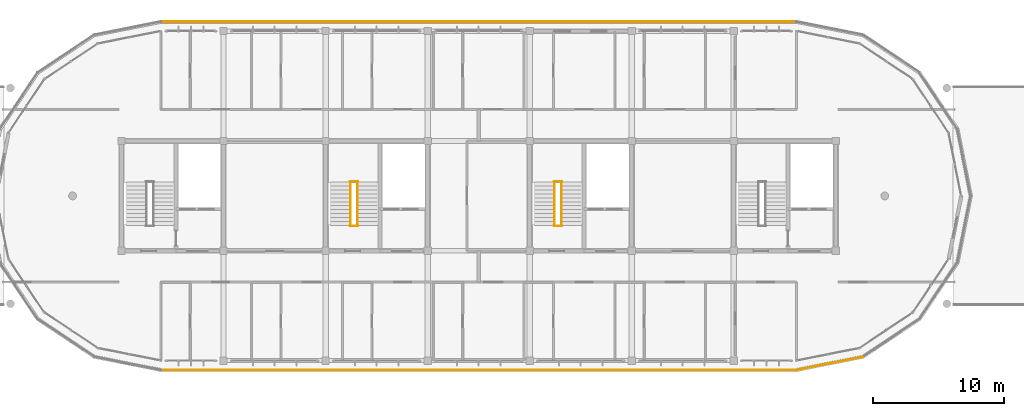
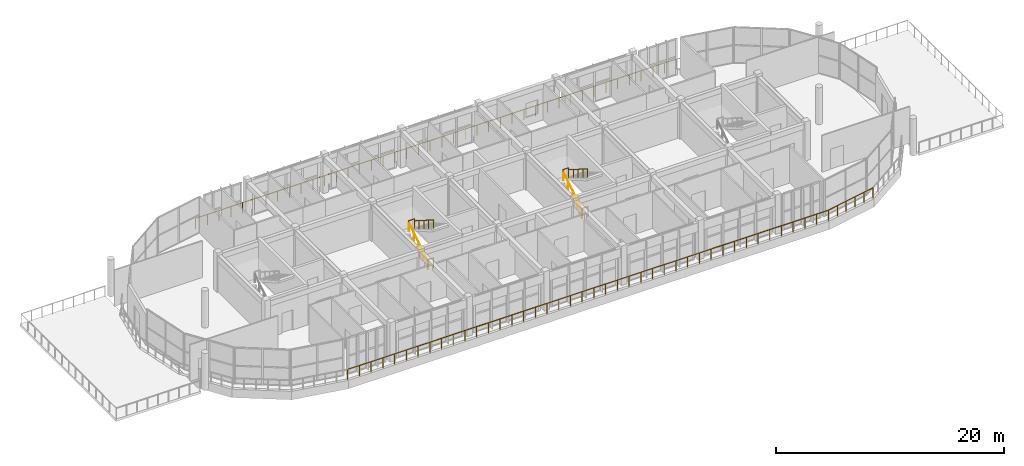
# One storey, part 43 of 44: 11 railings.
"""IFC4 building model written with IfcOpenShell, lengths in metres."""

from ifc_helpers import new_model, si_unit, direction, frame, origin, origin_2d, place, context, subcontext, project, spatial, circle, hollow_circle, extrude, material, material_profile, profile_set, type_object, element, save


model = new_model("IFC4")

# Units and contexts
model_context = context("Model", 3, precision=1e-05, world=origin(), true_north=direction((0.0, 1.0)))
body_context = subcontext(model_context, "Body", "Model", "MODEL_VIEW")
ifc_project = project(units=[si_unit("LENGTHUNIT", "METRE"), si_unit("AREAUNIT", "SQUARE_METRE"), si_unit("VOLUMEUNIT", "CUBIC_METRE"), si_unit("PLANEANGLEUNIT", "RADIAN"), si_unit("MASSUNIT", "GRAM", prefix="KILO")], contexts=[model_context])

# Site, building, storey
site_placement = place(None, origin())
site = spatial("IfcSite", under=ifc_project, at=site_placement, CompositionType="ELEMENT")
building_placement = place(site_placement, origin())
building = spatial("IfcBuilding", under=site, at=building_placement, Name="Zizhar Promenade General Hospital", CompositionType="ELEMENT")
storey_placement = place(building_placement, frame((0.0, 0.0, 34.800048828125)))
storey = spatial("IfcBuildingStorey", under=building, at=storey_placement, Name="L08", CompositionType="ELEMENT", Elevation=34.800048828125)

# Railings
ifc_material_1 = material(Name="Anodised aluminium 6063-T6", Category="aluminium")
ifc_material_profile_1 = material_profile(ifc_material_1, hollow_circle(Radius=0.06982421875, WallThickness=0.00634765625, at=origin_2d()))
ifc_profile_set_1 = profile_set([ifc_material_profile_1], Name="Anodised aluminium 6063-T6")
railing_type_1 = type_object("IfcRailingType", Name="RL-GUARD-TERR-1100", PredefinedType="GUARDRAIL", material=ifc_profile_set_1)
railing_1_placement = place(storey_placement, frame((98.39990234375, -0.719970703125, 0.0)))
element("IfcRailing", 1, at=railing_1_placement, inside=storey, type_object=railing_type_1, Name="Perimeter Safety Guardrail L08-01", PredefinedType="GUARDRAIL", context=body_context, shape_type="SweptSolid", body=[
    extrude(circle(Radius=0.02392578125, at=origin_2d()), frame((0.0, 0.0, 1.09619140625), z_axis=(0.980786101187, 0.195086195614, 0.0), x_axis=(-0.195086195614, 0.980786101187, 0.0)), (0.0, 0.0, 1.0), 5.197265625),
    extrude(circle(Radius=0.02099609375, at=origin_2d()), origin(), (0.0, 0.0, 1.0), 1.072021484375),
    extrude(circle(Radius=0.02099609375, at=origin_2d()), frame((1.01953125, 0.202880859375, 0.0)), (0.0, 0.0, 1.0), 1.072021484375),
    extrude(circle(Radius=0.02099609375, at=origin_2d()), frame((2.0390625, 0.405517578125, 0.0)), (0.0, 0.0, 1.0), 1.072021484375),
    extrude(circle(Radius=0.02099609375, at=origin_2d()), frame((3.058349609375, 0.6083984375, 0.0)), (0.0, 0.0, 1.0), 1.072021484375),
    extrude(circle(Radius=0.02099609375, at=origin_2d()), frame((4.077880859375, 0.81103515625, 0.0)), (0.0, 0.0, 1.0), 1.072021484375),
    extrude(circle(Radius=0.02099609375, at=origin_2d()), frame((5.097412109375, 1.013916015625, 0.0)), (0.0, 0.0, 1.0), 1.072021484375),
])
railing_2_placement = place(storey_placement, frame((98.39990234375, 25.919921875, 0.0)))
element("IfcRailing", 2, at=railing_2_placement, inside=storey, type_object=railing_type_1, Name="Perimeter Safety Guardrail L08-09", PredefinedType="GUARDRAIL", context=body_context, shape_type="SweptSolid", body=[
    extrude(circle(Radius=0.02392578125, at=origin_2d()), frame((0.0, 0.0, 1.09619140625), z_axis=(-1.0, 0.0, 0.0), x_axis=(0.0, -1.0, 0.0)), (0.0, 0.0, 1.0), 48.599853515625),
    extrude(circle(Radius=0.02099609375, at=origin_2d()), origin(), (0.0, 0.0, 1.0), 1.072021484375),
    extrude(circle(Radius=0.02099609375, at=origin_2d()), frame((-1.185302734375, 0.0, 0.0)), (0.0, 0.0, 1.0), 1.072021484375),
    extrude(circle(Radius=0.02099609375, at=origin_2d()), frame((-2.37060546875, 0.0, 0.0)), (0.0, 0.0, 1.0), 1.072021484375),
    extrude(circle(Radius=0.02099609375, at=origin_2d()), frame((-3.55615234375, 0.0, 0.0)), (0.0, 0.0, 1.0), 1.072021484375),
    extrude(circle(Radius=0.02099609375, at=origin_2d()), frame((-4.741455078125, 0.0, 0.0)), (0.0, 0.0, 1.0), 1.072021484375),
    extrude(circle(Radius=0.02099609375, at=origin_2d()), frame((-5.9267578125, 0.0, 0.0)), (0.0, 0.0, 1.0), 1.072021484375),
    extrude(circle(Radius=0.02099609375, at=origin_2d()), frame((-7.112060546875, 0.0, 0.0)), (0.0, 0.0, 1.0), 1.072021484375),
    extrude(circle(Radius=0.02099609375, at=origin_2d()), frame((-8.297607421875, 0.0, 0.0)), (0.0, 0.0, 1.0), 1.072021484375),
    extrude(circle(Radius=0.02099609375, at=origin_2d()), frame((-9.48291015625, 0.0, 0.0)), (0.0, 0.0, 1.0), 1.072021484375),
    extrude(circle(Radius=0.02099609375, at=origin_2d()), frame((-10.668212890625, 0.0, 0.0)), (0.0, 0.0, 1.0), 1.072021484375),
    extrude(circle(Radius=0.02099609375, at=origin_2d()), frame((-11.853515625, 0.0, 0.0)), (0.0, 0.0, 1.0), 1.072021484375),
    extrude(circle(Radius=0.02099609375, at=origin_2d()), frame((-13.0390625, 0.0, 0.0)), (0.0, 0.0, 1.0), 1.072021484375),
    extrude(circle(Radius=0.02099609375, at=origin_2d()), frame((-14.224365234375, 0.0, 0.0)), (0.0, 0.0, 1.0), 1.072021484375),
    extrude(circle(Radius=0.02099609375, at=origin_2d()), frame((-15.40966796875, 0.0, 0.0)), (0.0, 0.0, 1.0), 1.072021484375),
    extrude(circle(Radius=0.02099609375, at=origin_2d()), frame((-16.594970703125, 0.0, 0.0)), (0.0, 0.0, 1.0), 1.072021484375),
    extrude(circle(Radius=0.02099609375, at=origin_2d()), frame((-17.780517578125, 0.0, 0.0)), (0.0, 0.0, 1.0), 1.072021484375),
    extrude(circle(Radius=0.02099609375, at=origin_2d()), frame((-18.9658203125, 0.0, 0.0)), (0.0, 0.0, 1.0), 1.072021484375),
    extrude(circle(Radius=0.02099609375, at=origin_2d()), frame((-20.151123046875, 0.0, 0.0)), (0.0, 0.0, 1.0), 1.072021484375),
    extrude(circle(Radius=0.02099609375, at=origin_2d()), frame((-21.33642578125, 0.0, 0.0)), (0.0, 0.0, 1.0), 1.072021484375),
    extrude(circle(Radius=0.02099609375, at=origin_2d()), frame((-22.52197265625, 0.0, 0.0)), (0.0, 0.0, 1.0), 1.072021484375),
    extrude(circle(Radius=0.02099609375, at=origin_2d()), frame((-23.707275390625, 0.0, 0.0)), (0.0, 0.0, 1.0), 1.072021484375),
    extrude(circle(Radius=0.02099609375, at=origin_2d()), frame((-24.892578125, 0.0, 0.0)), (0.0, 0.0, 1.0), 1.072021484375),
    extrude(circle(Radius=0.02099609375, at=origin_2d()), frame((-26.077880859375, 0.0, 0.0)), (0.0, 0.0, 1.0), 1.072021484375),
    extrude(circle(Radius=0.02099609375, at=origin_2d()), frame((-27.263427734375, 0.0, 0.0)), (0.0, 0.0, 1.0), 1.072021484375),
    extrude(circle(Radius=0.02099609375, at=origin_2d()), frame((-28.44873046875, 0.0, 0.0)), (0.0, 0.0, 1.0), 1.072021484375),
    extrude(circle(Radius=0.02099609375, at=origin_2d()), frame((-29.634033203125, 0.0, 0.0)), (0.0, 0.0, 1.0), 1.072021484375),
    extrude(circle(Radius=0.02099609375, at=origin_2d()), frame((-30.8193359375, 0.0, 0.0)), (0.0, 0.0, 1.0), 1.072021484375),
    extrude(circle(Radius=0.02099609375, at=origin_2d()), frame((-32.0048828125, 0.0, 0.0)), (0.0, 0.0, 1.0), 1.072021484375),
    extrude(circle(Radius=0.02099609375, at=origin_2d()), frame((-33.190185546875, 0.0, 0.0)), (0.0, 0.0, 1.0), 1.072021484375),
    extrude(circle(Radius=0.02099609375, at=origin_2d()), frame((-34.37548828125, 0.0, 0.0)), (0.0, 0.0, 1.0), 1.072021484375),
    extrude(circle(Radius=0.02099609375, at=origin_2d()), frame((-35.560791015625, 0.0, 0.0)), (0.0, 0.0, 1.0), 1.072021484375),
    extrude(circle(Radius=0.02099609375, at=origin_2d()), frame((-36.746337890625, 0.0, 0.0)), (0.0, 0.0, 1.0), 1.072021484375),
    extrude(circle(Radius=0.02099609375, at=origin_2d()), frame((-37.931640625, 0.0, 0.0)), (0.0, 0.0, 1.0), 1.072021484375),
    extrude(circle(Radius=0.02099609375, at=origin_2d()), frame((-39.116943359375, 0.0, 0.0)), (0.0, 0.0, 1.0), 1.072021484375),
    extrude(circle(Radius=0.02099609375, at=origin_2d()), frame((-40.30224609375, 0.0, 0.0)), (0.0, 0.0, 1.0), 1.072021484375),
    extrude(circle(Radius=0.02099609375, at=origin_2d()), frame((-41.48779296875, 0.0, 0.0)), (0.0, 0.0, 1.0), 1.072021484375),
    extrude(circle(Radius=0.02099609375, at=origin_2d()), frame((-42.673095703125, 0.0, 0.0)), (0.0, 0.0, 1.0), 1.072021484375),
    extrude(circle(Radius=0.02099609375, at=origin_2d()), frame((-43.8583984375, 0.0, 0.0)), (0.0, 0.0, 1.0), 1.072021484375),
    extrude(circle(Radius=0.02099609375, at=origin_2d()), frame((-45.043701171875, 0.0, 0.0)), (0.0, 0.0, 1.0), 1.072021484375),
    extrude(circle(Radius=0.02099609375, at=origin_2d()), frame((-46.229248046875, 0.0, 0.0)), (0.0, 0.0, 1.0), 1.072021484375),
    extrude(circle(Radius=0.02099609375, at=origin_2d()), frame((-47.41455078125, 0.0, 0.0)), (0.0, 0.0, 1.0), 1.072021484375),
    extrude(circle(Radius=0.02099609375, at=origin_2d()), frame((-48.599853515625, 0.0, 0.0)), (0.0, 0.0, 1.0), 1.072021484375),
])
railing_3_placement = place(storey_placement, frame((49.800048828125, -0.719970703125, 0.0)))
element("IfcRailing", 3, at=railing_3_placement, inside=storey, type_object=railing_type_1, Name="Perimeter Safety Guardrail L08-18", PredefinedType="GUARDRAIL", context=body_context, shape_type="SweptSolid", body=[
    extrude(circle(Radius=0.02392578125, at=origin_2d()), frame((0.0, 0.0, 1.09619140625), z_axis=(1.0, 0.0, 0.0), x_axis=(0.0, 1.0, 0.0)), (0.0, 0.0, 1.0), 48.599853515625),
    extrude(circle(Radius=0.02099609375, at=origin_2d()), origin(), (0.0, 0.0, 1.0), 1.072021484375),
    extrude(circle(Radius=0.02099609375, at=origin_2d()), frame((1.185302734375, 0.0, 0.0)), (0.0, 0.0, 1.0), 1.072021484375),
    extrude(circle(Radius=0.02099609375, at=origin_2d()), frame((2.37060546875, 0.0, 0.0)), (0.0, 0.0, 1.0), 1.072021484375),
    extrude(circle(Radius=0.02099609375, at=origin_2d()), frame((3.55615234375, 0.0, 0.0)), (0.0, 0.0, 1.0), 1.072021484375),
    extrude(circle(Radius=0.02099609375, at=origin_2d()), frame((4.741455078125, 0.0, 0.0)), (0.0, 0.0, 1.0), 1.072021484375),
    extrude(circle(Radius=0.02099609375, at=origin_2d()), frame((5.9267578125, 0.0, 0.0)), (0.0, 0.0, 1.0), 1.072021484375),
    extrude(circle(Radius=0.02099609375, at=origin_2d()), frame((7.112060546875, 0.0, 0.0)), (0.0, 0.0, 1.0), 1.072021484375),
    extrude(circle(Radius=0.02099609375, at=origin_2d()), frame((8.297607421875, 0.0, 0.0)), (0.0, 0.0, 1.0), 1.072021484375),
    extrude(circle(Radius=0.02099609375, at=origin_2d()), frame((9.48291015625, 0.0, 0.0)), (0.0, 0.0, 1.0), 1.072021484375),
    extrude(circle(Radius=0.02099609375, at=origin_2d()), frame((10.668212890625, 0.0, 0.0)), (0.0, 0.0, 1.0), 1.072021484375),
    extrude(circle(Radius=0.02099609375, at=origin_2d()), frame((11.853515625, 0.0, 0.0)), (0.0, 0.0, 1.0), 1.072021484375),
    extrude(circle(Radius=0.02099609375, at=origin_2d()), frame((13.0390625, 0.0, 0.0)), (0.0, 0.0, 1.0), 1.072021484375),
    extrude(circle(Radius=0.02099609375, at=origin_2d()), frame((14.224365234375, 0.0, 0.0)), (0.0, 0.0, 1.0), 1.072021484375),
    extrude(circle(Radius=0.02099609375, at=origin_2d()), frame((15.40966796875, 0.0, 0.0)), (0.0, 0.0, 1.0), 1.072021484375),
    extrude(circle(Radius=0.02099609375, at=origin_2d()), frame((16.594970703125, 0.0, 0.0)), (0.0, 0.0, 1.0), 1.072021484375),
    extrude(circle(Radius=0.02099609375, at=origin_2d()), frame((17.780517578125, 0.0, 0.0)), (0.0, 0.0, 1.0), 1.072021484375),
    extrude(circle(Radius=0.02099609375, at=origin_2d()), frame((18.9658203125, 0.0, 0.0)), (0.0, 0.0, 1.0), 1.072021484375),
    extrude(circle(Radius=0.02099609375, at=origin_2d()), frame((20.151123046875, 0.0, 0.0)), (0.0, 0.0, 1.0), 1.072021484375),
    extrude(circle(Radius=0.02099609375, at=origin_2d()), frame((21.33642578125, 0.0, 0.0)), (0.0, 0.0, 1.0), 1.072021484375),
    extrude(circle(Radius=0.02099609375, at=origin_2d()), frame((22.52197265625, 0.0, 0.0)), (0.0, 0.0, 1.0), 1.072021484375),
    extrude(circle(Radius=0.02099609375, at=origin_2d()), frame((23.707275390625, 0.0, 0.0)), (0.0, 0.0, 1.0), 1.072021484375),
    extrude(circle(Radius=0.02099609375, at=origin_2d()), frame((24.892578125, 0.0, 0.0)), (0.0, 0.0, 1.0), 1.072021484375),
    extrude(circle(Radius=0.02099609375, at=origin_2d()), frame((26.077880859375, 0.0, 0.0)), (0.0, 0.0, 1.0), 1.072021484375),
    extrude(circle(Radius=0.02099609375, at=origin_2d()), frame((27.263427734375, 0.0, 0.0)), (0.0, 0.0, 1.0), 1.072021484375),
    extrude(circle(Radius=0.02099609375, at=origin_2d()), frame((28.44873046875, 0.0, 0.0)), (0.0, 0.0, 1.0), 1.072021484375),
    extrude(circle(Radius=0.02099609375, at=origin_2d()), frame((29.634033203125, 0.0, 0.0)), (0.0, 0.0, 1.0), 1.072021484375),
    extrude(circle(Radius=0.02099609375, at=origin_2d()), frame((30.8193359375, 0.0, 0.0)), (0.0, 0.0, 1.0), 1.072021484375),
    extrude(circle(Radius=0.02099609375, at=origin_2d()), frame((32.0048828125, 0.0, 0.0)), (0.0, 0.0, 1.0), 1.072021484375),
    extrude(circle(Radius=0.02099609375, at=origin_2d()), frame((33.190185546875, 0.0, 0.0)), (0.0, 0.0, 1.0), 1.072021484375),
    extrude(circle(Radius=0.02099609375, at=origin_2d()), frame((34.37548828125, 0.0, 0.0)), (0.0, 0.0, 1.0), 1.072021484375),
    extrude(circle(Radius=0.02099609375, at=origin_2d()), frame((35.560791015625, 0.0, 0.0)), (0.0, 0.0, 1.0), 1.072021484375),
    extrude(circle(Radius=0.02099609375, at=origin_2d()), frame((36.746337890625, 0.0, 0.0)), (0.0, 0.0, 1.0), 1.072021484375),
    extrude(circle(Radius=0.02099609375, at=origin_2d()), frame((37.931640625, 0.0, 0.0)), (0.0, 0.0, 1.0), 1.072021484375),
    extrude(circle(Radius=0.02099609375, at=origin_2d()), frame((39.116943359375, 0.0, 0.0)), (0.0, 0.0, 1.0), 1.072021484375),
    extrude(circle(Radius=0.02099609375, at=origin_2d()), frame((40.30224609375, 0.0, 0.0)), (0.0, 0.0, 1.0), 1.072021484375),
    extrude(circle(Radius=0.02099609375, at=origin_2d()), frame((41.48779296875, 0.0, 0.0)), (0.0, 0.0, 1.0), 1.072021484375),
    extrude(circle(Radius=0.02099609375, at=origin_2d()), frame((42.673095703125, 0.0, 0.0)), (0.0, 0.0, 1.0), 1.072021484375),
    extrude(circle(Radius=0.02099609375, at=origin_2d()), frame((43.8583984375, 0.0, 0.0)), (0.0, 0.0, 1.0), 1.072021484375),
    extrude(circle(Radius=0.02099609375, at=origin_2d()), frame((45.043701171875, 0.0, 0.0)), (0.0, 0.0, 1.0), 1.072021484375),
    extrude(circle(Radius=0.02099609375, at=origin_2d()), frame((46.229248046875, 0.0, 0.0)), (0.0, 0.0, 1.0), 1.072021484375),
    extrude(circle(Radius=0.02099609375, at=origin_2d()), frame((47.41455078125, 0.0, 0.0)), (0.0, 0.0, 1.0), 1.072021484375),
    extrude(circle(Radius=0.02099609375, at=origin_2d()), frame((48.599853515625, 0.0, 0.0)), (0.0, 0.0, 1.0), 1.072021484375),
])
ifc_material_2 = material(Name="Anodised aluminium 6063-T6", Category="aluminium")
ifc_material_profile_2 = material_profile(ifc_material_2, hollow_circle(Radius=0.06982421875, WallThickness=0.00634765625, at=origin_2d()))
ifc_profile_set_2 = profile_set([ifc_material_profile_2], Name="Anodised aluminium 6063-T6")
railing_type_2 = type_object("IfcRailingType", Name="RL-HANDRAIL-920", PredefinedType="HANDRAIL", material=ifc_profile_set_2)
railing_4_placement = place(storey_placement, frame((64.300048828125, 10.35009765625, 0.0)))
element("IfcRailing", 4, at=railing_4_placement, inside=storey, type_object=railing_type_2, Name="Stair ST-03 Flight 1 Handrail (L08)", PredefinedType="HANDRAIL", context=body_context, shape_type="SweptSolid", body=[
    extrude(circle(Radius=0.02392578125, at=origin_2d()), frame((0.0, 0.0, 0.89599609375), z_axis=(0.0, 0.843664057944, 0.536871453268), x_axis=(-1.0, 0.0, 0.0)), (0.0, 0.0, 1.0), 3.911376953125),
    extrude(circle(Radius=0.02099609375, at=origin_2d()), origin(), (0.0, 0.0, 1.0), 0.871826171875),
    extrude(circle(Radius=0.02099609375, at=origin_2d()), frame((0.0, 0.824951171875, 0.52490234375)), (0.0, 0.0, 1.0), 0.871826171875),
    extrude(circle(Radius=0.02099609375, at=origin_2d()), frame((0.0, 1.64990234375, 1.0498046875)), (0.0, 0.0, 1.0), 0.871826171875),
    extrude(circle(Radius=0.02099609375, at=origin_2d()), frame((0.0, 2.474853515625, 1.574951171875)), (0.0, 0.0, 1.0), 0.871826171875),
    extrude(circle(Radius=0.02099609375, at=origin_2d()), frame((0.0, 3.2998046875, 2.099853515625)), (0.0, 0.0, 1.0), 0.871826171875),
])
railing_5_placement = place(storey_placement, frame((64.840087890625, 13.64990234375, 2.099853515625)))
element("IfcRailing", 5, at=railing_5_placement, inside=storey, type_object=railing_type_2, Name="Stair ST-03 Flight 2 Handrail (L08)", PredefinedType="HANDRAIL", context=body_context, shape_type="SweptSolid", body=[
    extrude(circle(Radius=0.02392578125, at=origin_2d()), frame((0.0, 0.0, 0.89599609375), z_axis=(0.0, -0.843635785416, 0.536915879413), x_axis=(1.0, 0.0, 0.0)), (0.0, 0.0, 1.0), 3.911376953125),
    extrude(circle(Radius=0.02099609375, at=origin_2d()), origin(), (0.0, 0.0, 1.0), 0.871826171875),
    extrude(circle(Radius=0.02099609375, at=origin_2d()), frame((0.0, -0.824951171875, 0.52490234375)), (0.0, 0.0, 1.0), 0.871826171875),
    extrude(circle(Radius=0.02099609375, at=origin_2d()), frame((0.0, -1.64990234375, 1.050048828125)), (0.0, 0.0, 1.0), 0.871826171875),
    extrude(circle(Radius=0.02099609375, at=origin_2d()), frame((0.0, -2.474853515625, 1.5751953125)), (0.0, 0.0, 1.0), 0.871826171875),
    extrude(circle(Radius=0.02099609375, at=origin_2d()), frame((0.0, -3.2998046875, 2.10009765625)), (0.0, 0.0, 1.0), 0.871826171875),
])
railing_6_placement = place(storey_placement, frame((79.89990234375, 10.35009765625, 0.0)))
element("IfcRailing", 6, at=railing_6_placement, inside=storey, type_object=railing_type_2, Name="Stair ST-04 Flight 1 Handrail (L08)", PredefinedType="HANDRAIL", context=body_context, shape_type="SweptSolid", body=[
    extrude(circle(Radius=0.02392578125, at=origin_2d()), frame((0.0, 0.0, 0.89599609375), z_axis=(0.0, 0.843664057944, 0.536871453268), x_axis=(-1.0, 0.0, 0.0)), (0.0, 0.0, 1.0), 3.911376953125),
    extrude(circle(Radius=0.02099609375, at=origin_2d()), origin(), (0.0, 0.0, 1.0), 0.871826171875),
    extrude(circle(Radius=0.02099609375, at=origin_2d()), frame((0.0, 0.824951171875, 0.52490234375)), (0.0, 0.0, 1.0), 0.871826171875),
    extrude(circle(Radius=0.02099609375, at=origin_2d()), frame((0.0, 1.64990234375, 1.0498046875)), (0.0, 0.0, 1.0), 0.871826171875),
    extrude(circle(Radius=0.02099609375, at=origin_2d()), frame((0.0, 2.474853515625, 1.574951171875)), (0.0, 0.0, 1.0), 0.871826171875),
    extrude(circle(Radius=0.02099609375, at=origin_2d()), frame((0.0, 3.2998046875, 2.099853515625)), (0.0, 0.0, 1.0), 0.871826171875),
])
railing_7_placement = place(storey_placement, frame((80.43994140625, 13.64990234375, 2.099853515625)))
element("IfcRailing", 7, at=railing_7_placement, inside=storey, type_object=railing_type_2, Name="Stair ST-04 Flight 2 Handrail (L08)", PredefinedType="HANDRAIL", context=body_context, shape_type="SweptSolid", body=[
    extrude(circle(Radius=0.02392578125, at=origin_2d()), frame((0.0, 0.0, 0.89599609375), z_axis=(0.0, -0.843635785416, 0.536915879413), x_axis=(1.0, 0.0, 0.0)), (0.0, 0.0, 1.0), 3.911376953125),
    extrude(circle(Radius=0.02099609375, at=origin_2d()), origin(), (0.0, 0.0, 1.0), 0.871826171875),
    extrude(circle(Radius=0.02099609375, at=origin_2d()), frame((0.0, -0.824951171875, 0.52490234375)), (0.0, 0.0, 1.0), 0.871826171875),
    extrude(circle(Radius=0.02099609375, at=origin_2d()), frame((0.0, -1.64990234375, 1.050048828125)), (0.0, 0.0, 1.0), 0.871826171875),
    extrude(circle(Radius=0.02099609375, at=origin_2d()), frame((0.0, -2.474853515625, 1.5751953125)), (0.0, 0.0, 1.0), 0.871826171875),
    extrude(circle(Radius=0.02099609375, at=origin_2d()), frame((0.0, -3.2998046875, 2.10009765625)), (0.0, 0.0, 1.0), 0.871826171875),
])
ifc_material_3 = material(Name="Steel S355", Category="steel")
ifc_material_profile_3 = material_profile(ifc_material_3, hollow_circle(Radius=0.06982421875, WallThickness=0.00634765625, at=origin_2d()))
ifc_profile_set_3 = profile_set([ifc_material_profile_3], Name="Steel S355")
railing_type_3 = type_object("IfcRailingType", Name="RL-STAIR-GUARD-1100", PredefinedType="GUARDRAIL", material=ifc_profile_set_3)
for number, where, name in (
    (8, (64.280029296875, 13.68994140625, 2.099853515625), "Stair ST-03 Half-Landing Guard (L08)"),
    (9, (64.280029296875, 10.31005859375, 0.0), "Stair ST-03 Landing Well Guard (L08)"),
    (10, (79.8798828125, 13.68994140625, 2.099853515625), "Stair ST-04 Half-Landing Guard (L08)"),
    (11, (79.8798828125, 10.31005859375, 0.0), "Stair ST-04 Landing Well Guard (L08)"),
):
    element("IfcRailing", number, at=place(storey_placement, frame(where)), inside=storey, type_object=railing_type_3, Name=name, PredefinedType="GUARDRAIL", context=body_context, shape_type="SweptSolid", body=[
        extrude(circle(Radius=0.02392578125, at=origin_2d()), frame((0.0, 0.0, 1.076171875), z_axis=(1.0, 0.0, 0.0), x_axis=(0.0, 1.0, 0.0)), (0.0, 0.0, 1.0), 0.580078125),
        extrude(circle(Radius=0.02099609375, at=origin_2d()), origin(), (0.0, 0.0, 1.0), 1.052001953125),
        extrude(circle(Radius=0.02099609375, at=origin_2d()), frame((0.580078125, 0.0, 0.0)), (0.0, 0.0, 1.0), 1.052001953125),
    ])

save(model, "model.ifc")
